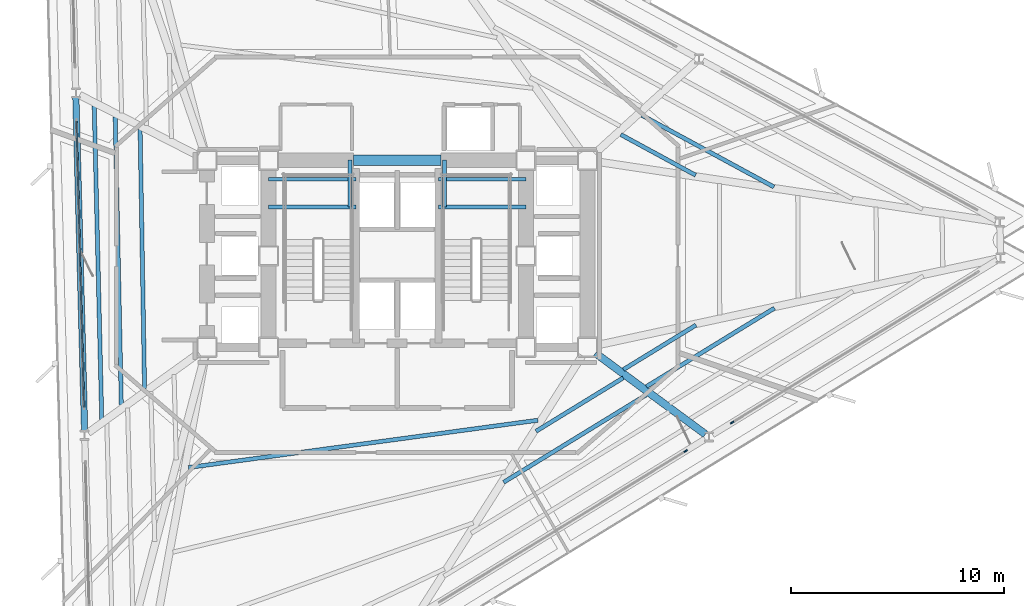
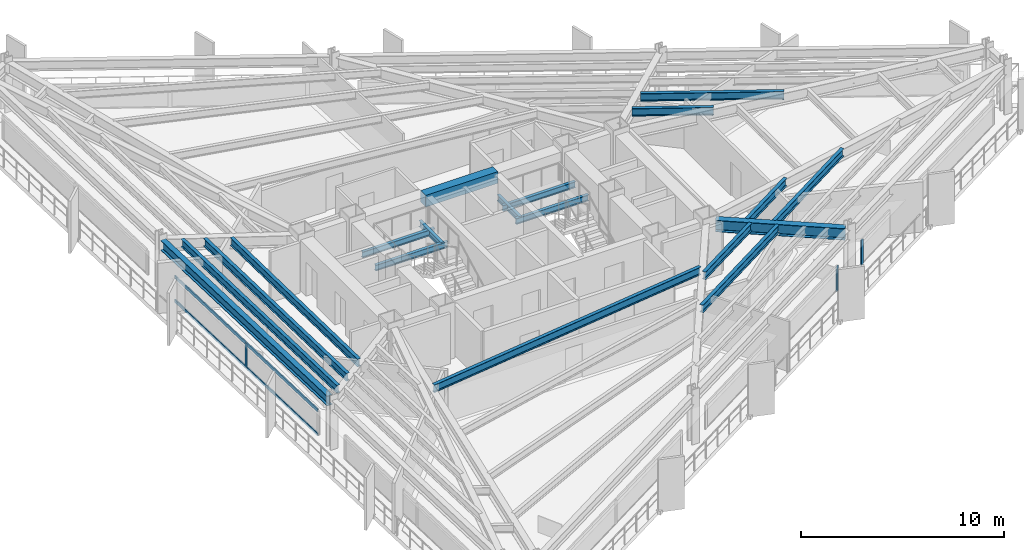
# One storey, part 3 of 14: 19 beams, 7 members, 3 elements without a shape of their own.
"""IFC4 building model written with IfcOpenShell, lengths in metres."""

from ifc_helpers import new_model, si_unit, direction, frame, origin, origin_2d, place, context, subcontext, project, spatial, rectangle, i_section, extrude, material, layer, layer_set, material_profile, profile_set, type_object, element, aggregate, save


model = new_model("IFC4")

# Units and contexts
model_context = context("Model", 3, precision=1e-05, world=origin(), true_north=direction((0.0, 1.0)))
body_context = subcontext(model_context, "Body", "Model", "MODEL_VIEW")
ifc_project = project(units=[si_unit("LENGTHUNIT", "METRE"), si_unit("AREAUNIT", "SQUARE_METRE"), si_unit("VOLUMEUNIT", "CUBIC_METRE"), si_unit("PLANEANGLEUNIT", "RADIAN"), si_unit("MASSUNIT", "GRAM", prefix="KILO")], contexts=[model_context])

# Site, building, storey
site_placement = place(None, origin())
site = spatial("IfcSite", under=ifc_project, at=site_placement, CompositionType="ELEMENT")
building_placement = place(site_placement, origin())
building = spatial("IfcBuilding", under=site, at=building_placement, Name="Rocaltana Carrier Exchange", CompositionType="ELEMENT")
storey_placement = place(building_placement, frame((0.0, 0.0, 42.39990234375)))
storey = spatial("IfcBuildingStorey", under=building, at=storey_placement, Name="L13", CompositionType="ELEMENT", Elevation=42.39990234375)

# Curtain wall, member
ifc_material_1 = material(Name="Aluminium 6063-T6", Category="aluminium")
ifc_layer = layer(ifc_material_1, 0.179931640625)
ifc_layer_set = layer_set([ifc_layer], Name="Aluminium 6063-T6")
curtain_wall_type = type_object("IfcCurtainWallType", Name="Sandstone Spandrel Unitised Curtain Wall CW-01", PredefinedType="NOTDEFINED", material=ifc_layer_set)
curtain_wall_1_placement = place(storey_placement, origin())
curtain_wall_1 = element("IfcCurtainWall", 1, at=curtain_wall_1_placement, inside=storey, type_object=curtain_wall_type, Name="L13 CW-01 Run CW-L13-F2S2", PredefinedType="NOTDEFINED")
ifc_material_2 = material(Name="Aluminium 6063-T6", Category="aluminium")
ifc_material_profile_1 = material_profile(ifc_material_2, rectangle(XDim=0.06494140625, YDim=0.179931640625, at=origin_2d()), Name="AL-65X180")
ifc_profile_set_1 = profile_set([ifc_material_profile_1], Name="Aluminium 6063-T6")
member_type_1 = type_object("IfcMemberType", Name="CW-01 Mullion AL-65X180", PredefinedType="MULLION", material=ifc_profile_set_1)
member_1_placement = place(storey_placement, frame((-14.91064453125, -0.390380859375, 0.0), z_axis=(0.0, 0.0, 1.0), x_axis=(0.99965733548, 0.026176547142, 0.0)))
member_1 = element("IfcMember", 2, at=member_1_placement, type_object=member_type_1, Name="CW-01 mullion 2", PredefinedType="MULLION", context=body_context, shape_type="SweptSolid", body=[
    extrude(rectangle(XDim=0.06494140625, YDim=0.179931640625, at=origin_2d()), origin(), (0.0, 0.0, 1.0), 1.498046875),
])

curtain_wall_2_placement = place(storey_placement, origin())
curtain_wall_2 = element("IfcCurtainWall", 3, at=curtain_wall_2_placement, inside=storey, type_object=curtain_wall_type, Name="L13 CW-01 Run CW-L13-F3S2", PredefinedType="NOTDEFINED")
member_2_placement = place(storey_placement, frame((13.563720703125, -9.181884765625, 0.0), z_axis=(0.0, 0.0, 1.0), x_axis=(-0.522499812415, 0.852639399762, 0.0)))
member_2 = element("IfcMember", 4, at=member_2_placement, type_object=member_type_1, Name="CW-01 mullion 3", PredefinedType="MULLION", context=body_context, shape_type="SweptSolid", body=[
    extrude(rectangle(XDim=0.06494140625, YDim=0.179931640625, at=origin_2d()), origin(), (0.0, 0.0, 1.0), 1.498046875),
])
aggregate(curtain_wall_2, [member_2])

curtain_wall_3_placement = place(storey_placement, origin())
curtain_wall_3 = element("IfcCurtainWall", 5, at=curtain_wall_3_placement, inside=storey, type_object=curtain_wall_type, Name="L13 CW-01 Run CW-L13-F3S3", PredefinedType="NOTDEFINED")
member_3_placement = place(storey_placement, frame((15.750732421875, -7.841552734375, 0.0), z_axis=(0.0, 0.0, 1.0), x_axis=(-0.522499812415, 0.852639399762, 0.0)))
member_3 = element("IfcMember", 6, at=member_3_placement, type_object=member_type_1, Name="CW-01 mullion 1", PredefinedType="MULLION", context=body_context, shape_type="SweptSolid", body=[
    extrude(rectangle(XDim=0.06494140625, YDim=0.179931640625, at=origin_2d()), origin(), (0.0, 0.0, 1.0), 1.498046875),
])
aggregate(curtain_wall_3, [member_3])

# Member
ifc_material_3 = material(Name="Aluminium 6063-T6", Category="aluminium")
ifc_material_profile_2 = material_profile(ifc_material_3, rectangle(XDim=0.06494140625, YDim=0.179931640625, at=origin_2d()), Name="AL-65X180")
ifc_profile_set_2 = profile_set([ifc_material_profile_2], Name="Aluminium 6063-T6")
member_type_2 = type_object("IfcMemberType", Name="CW-01 Transom AL-65X180", PredefinedType="USERDEFINED", material=ifc_profile_set_2)
member_4_placement = place(storey_placement, frame((-15.0869140625, 6.34228515625, 0.03271484375), z_axis=(0.026153417925, -0.999657940863, 0.0), x_axis=(0.999657940863, 0.026153417925, 0.0)))
member_4 = element("IfcMember", 7, at=member_4_placement, type_object=member_type_2, Name="CW-01 transom 1.1", ObjectType="TRANSOM", PredefinedType="USERDEFINED", context=body_context, shape_type="SweptSolid", body=[
    extrude(rectangle(XDim=0.06494140625, YDim=0.179931640625, at=origin_2d()), origin(), (0.0, 0.0, 1.0), 6.702392578125),
])

member_5_placement = place(storey_placement, frame((-15.0869140625, 6.34228515625, 1.465576171875), z_axis=(0.026153417925, -0.999657940863, 0.0), x_axis=(0.999657940863, 0.026153417925, 0.0)))
member_5 = element("IfcMember", 8, at=member_5_placement, type_object=member_type_2, Name="CW-01 transom 1.2", ObjectType="TRANSOM", PredefinedType="USERDEFINED", context=body_context, shape_type="SweptSolid", body=[
    extrude(rectangle(XDim=0.06494140625, YDim=0.179931640625, at=origin_2d()), origin(), (0.0, 0.0, 1.0), 6.702392578125),
])

member_6_placement = place(storey_placement, frame((-14.909912109375, -0.4228515625, 0.03271484375), z_axis=(0.026189818331, -0.999656987879, 0.0), x_axis=(0.999656987879, 0.026189818331, 0.0)))
member_6 = element("IfcMember", 9, at=member_6_placement, type_object=member_type_2, Name="CW-01 transom 2.1", ObjectType="TRANSOM", PredefinedType="USERDEFINED", context=body_context, shape_type="SweptSolid", body=[
    extrude(rectangle(XDim=0.06494140625, YDim=0.179931640625, at=origin_2d()), origin(), (0.0, 0.0, 1.0), 6.702392578125),
])

member_7_placement = place(storey_placement, frame((-14.909912109375, -0.4228515625, 1.465576171875), z_axis=(0.026189818331, -0.999656987879, 0.0), x_axis=(0.999656987879, 0.026189818331, 0.0)))
member_7 = element("IfcMember", 10, at=member_7_placement, type_object=member_type_2, Name="CW-01 transom 2.2", ObjectType="TRANSOM", PredefinedType="USERDEFINED", context=body_context, shape_type="SweptSolid", body=[
    extrude(rectangle(XDim=0.06494140625, YDim=0.179931640625, at=origin_2d()), origin(), (0.0, 0.0, 1.0), 6.702392578125),
])

aggregate(curtain_wall_1, [member_1, member_4, member_5, member_6, member_7])

# Beams
ifc_material_4 = material(Name="Concrete C60/75", Category="concrete")
ifc_material_profile_3 = material_profile(ifc_material_4, rectangle(XDim=0.5, YDim=0.699951171875, at=origin_2d()), Name="RC-BM-500X700")
ifc_profile_set_3 = profile_set([ifc_material_profile_3], Name="Concrete C60/75")
beam_type_1 = type_object("IfcBeamType", Name="Core Coupling Lintel 500x700", PredefinedType="LINTEL", material=ifc_profile_set_3)
beam_1_placement = place(storey_placement, frame((-2.050048828125, 4.5, 2.68798828125), z_axis=(1.0, 0.0, 0.0), x_axis=(0.0, 1.0, 0.0)))
element("IfcBeam", 11, at=beam_1_placement, inside=storey, type_object=beam_type_1, Name="L13 Core Coupling Lintel CL-N", PredefinedType="LINTEL", context=body_context, shape_type="SweptSolid", body=[
    extrude(rectangle(XDim=0.5, YDim=0.699951171875, at=origin_2d()), origin(), (0.0, 0.0, 1.0), 4.10009765625),
])
ifc_material_5 = material(Name="Steel S355", Category="steel")
ifc_material_profile_4 = material_profile(ifc_material_5, i_section(OverallWidth=0.172119140625, OverallDepth=0.35791015625, WebThickness=0.0078125, FlangeThickness=0.01318359375, FilletRadius=0.011962890625, at=origin_2d()), Name="W14X38")
ifc_profile_set_4 = profile_set([ifc_material_profile_4], Name="Steel S355")
beam_type_2 = type_object("IfcBeamType", Name="Floor Joist W14X38", PredefinedType="JOIST", material=ifc_profile_set_4)
for number, where, z_axis, x_axis, name in (
    (12, (-6.050048828125, 2.300048828125, 1.301025390625), (1.0, 0.0, 0.0), (0.0, 1.0, 0.0), "L13 ST-1 Landing Carrier 1"),
    (13, (1.93994140625, 2.300048828125, 1.301025390625), (1.0, 0.0, 0.0), (0.0, 1.0, 0.0), "L13 ST-2 Landing Carrier 1"),
    (14, (-6.050048828125, 3.60009765625, 1.301025390625), (1.0, 0.0, 0.0), (0.0, 1.0, 0.0), "L13 ST-1 Landing Carrier 2"),
    (15, (1.93994140625, 3.60009765625, 1.301025390625), (1.0, 0.0, 0.0), (0.0, 1.0, 0.0), "L13 ST-2 Landing Carrier 2"),
):
    element("IfcBeam", number, at=place(storey_placement, frame(where, z_axis=z_axis, x_axis=x_axis)), inside=storey, type_object=beam_type_2, Name=name, PredefinedType="JOIST", context=body_context, shape_type="SweptSolid", body=[
        extrude(i_section(OverallWidth=0.172119140625, OverallDepth=0.35791015625, WebThickness=0.0078125, FlangeThickness=0.01318359375, FilletRadius=0.011962890625, at=origin_2d()), origin(), (0.0, 0.0, 1.0), 4.110107421875),
    ])
for number, where, z_axis, x_axis, name in (
    (16, (-2.219970703125, 2.300048828125, 1.301025390625), (0.0, 1.0, 0.0), (-1.0, 0.0, 0.0), "L13 ST-1 Landing Cross Trimmer"),
    (17, (2.219970703125, 2.300048828125, 1.301025390625), (0.0, 1.0, 0.0), (-1.0, 0.0, 0.0), "L13 ST-2 Landing Cross Trimmer"),
):
    element("IfcBeam", number, at=place(storey_placement, frame(where, z_axis=z_axis, x_axis=x_axis)), inside=storey, type_object=beam_type_2, Name=name, PredefinedType="JOIST", context=body_context, shape_type="SweptSolid", body=[
        extrude(i_section(OverallWidth=0.172119140625, OverallDepth=0.35791015625, WebThickness=0.0078125, FlangeThickness=0.01318359375, FilletRadius=0.011962890625, at=origin_2d()), origin(), (0.0, 0.0, 1.0), 2.199951171875),
    ])
ifc_material_6 = material(Name="Steel S355", Category="steel")
ifc_material_profile_5 = material_profile(ifc_material_6, i_section(OverallWidth=0.193115234375, OverallDepth=0.466064453125, WebThickness=0.011474609375, FlangeThickness=0.01904296875, FilletRadius=0.013916015625, at=origin_2d()), Name="W18X65")
ifc_profile_set_5 = profile_set([ifc_material_profile_5], Name="Steel S355")
beam_type_3 = type_object("IfcBeamType", Name="Floor Joist W18X65", PredefinedType="JOIST", material=ifc_profile_set_5)
beam_2_placement = place(storey_placement, frame((14.03466796875, 3.794921875, 2.80517578125), z_axis=(-0.878819095461, 0.477155108381, 0.0), x_axis=(-0.477155108381, -0.878819095461, 0.0)))
element("IfcBeam", 18, at=beam_2_placement, inside=storey, type_object=beam_type_3, Name="FJ-L13-01-1", PredefinedType="JOIST", context=body_context, shape_type="SweptSolid", body=[
    extrude(i_section(OverallWidth=0.193115234375, OverallDepth=0.466064453125, WebThickness=0.011474609375, FlangeThickness=0.01904296875, FilletRadius=0.013916015625, at=origin_2d()), origin(), (0.0, 0.0, 1.0), 4.003662109375),
])
beam_3_placement = place(storey_placement, frame((17.718994140625, 3.240966796875, 2.80517578125), z_axis=(-0.878818644884, 0.477155938247, 0.0), x_axis=(-0.477155938247, -0.878818644884, 0.0)))
element("IfcBeam", 19, at=beam_3_placement, inside=storey, type_object=beam_type_3, Name="FJ-L13-01-2", PredefinedType="JOIST", context=body_context, shape_type="SweptSolid", body=[
    extrude(i_section(OverallWidth=0.193115234375, OverallDepth=0.466064453125, WebThickness=0.011474609375, FlangeThickness=0.01904296875, FilletRadius=0.013916015625, at=origin_2d()), origin(), (0.0, 0.0, 1.0), 7.06298828125),
])
beam_4_placement = place(storey_placement, frame((-12.094482421875, 5.9384765625, 2.80517578125), z_axis=(0.01715934819, -0.999852767546, 0.0), x_axis=(0.999852767546, 0.01715934819, 0.0)))
element("IfcBeam", 20, at=beam_4_placement, inside=storey, type_object=beam_type_3, Name="FJ-L13-06-2", PredefinedType="JOIST", context=body_context, shape_type="SweptSolid", body=[
    extrude(i_section(OverallWidth=0.193115234375, OverallDepth=0.466064453125, WebThickness=0.011474609375, FlangeThickness=0.01904296875, FilletRadius=0.013916015625, at=origin_2d()), origin(), (0.0, 0.0, 1.0), 12.178955078125),
])
beam_5_placement = place(storey_placement, frame((-13.266357421875, 6.538330078125, 2.80517578125), z_axis=(0.021217434782, -0.999774884892, 0.0), x_axis=(0.999774884892, 0.021217434782, 0.0)))
element("IfcBeam", 21, at=beam_5_placement, inside=storey, type_object=beam_type_3, Name="FJ-L13-06-3", PredefinedType="JOIST", context=body_context, shape_type="SweptSolid", body=[
    extrude(i_section(OverallWidth=0.193115234375, OverallDepth=0.466064453125, WebThickness=0.011474609375, FlangeThickness=0.01904296875, FilletRadius=0.013916015625, at=origin_2d()), origin(), (0.0, 0.0, 1.0), 13.56640625),
])
beam_6_placement = place(storey_placement, frame((-14.25341796875, 7.04345703125, 2.80517578125), z_axis=(0.024041709719, -0.999710956324, 0.0), x_axis=(0.999710956324, 0.024041709719, 0.0)))
element("IfcBeam", 22, at=beam_6_placement, inside=storey, type_object=beam_type_3, Name="FJ-L13-06-4", PredefinedType="JOIST", context=body_context, shape_type="SweptSolid", body=[
    extrude(i_section(OverallWidth=0.193115234375, OverallDepth=0.466064453125, WebThickness=0.011474609375, FlangeThickness=0.01904296875, FilletRadius=0.013916015625, at=origin_2d()), origin(), (0.0, 0.0, 1.0), 14.734619140625),
])
beam_7_placement = place(storey_placement, frame((-9.819091796875, -9.956787109375, 2.80517578125), z_axis=(0.990955694238, 0.13418946329, 0.0), x_axis=(-0.13418946329, 0.990955694238, 0.0)))
element("IfcBeam", 23, at=beam_7_placement, inside=storey, type_object=beam_type_3, Name="FJ-L13-09-1", PredefinedType="JOIST", context=body_context, shape_type="SweptSolid", body=[
    extrude(i_section(OverallWidth=0.193115234375, OverallDepth=0.466064453125, WebThickness=0.011474609375, FlangeThickness=0.01904296875, FilletRadius=0.013916015625, at=origin_2d()), origin(), (0.0, 0.0, 1.0), 16.58349609375),
])
beam_8_placement = place(storey_placement, frame((6.52978515625, -8.25, 2.80517578125), z_axis=(0.852639920922, 0.522498961961, 0.0), x_axis=(-0.522498961961, 0.852639920922, 0.0)))
element("IfcBeam", 24, at=beam_8_placement, inside=storey, type_object=beam_type_3, Name="FJ-L13-10-1", PredefinedType="JOIST", context=body_context, shape_type="SweptSolid", body=[
    extrude(i_section(OverallWidth=0.193115234375, OverallDepth=0.466064453125, WebThickness=0.011474609375, FlangeThickness=0.01904296875, FilletRadius=0.013916015625, at=origin_2d()), origin(), (0.0, 0.0, 1.0), 4.80908203125),
])
beam_9_placement = place(storey_placement, frame((5.005859375, -10.648681640625, 2.80517578125), z_axis=(0.852633806111, 0.522508940283, 0.0), x_axis=(-0.522508940283, 0.852633806111, 0.0)))
element("IfcBeam", 25, at=beam_9_placement, inside=storey, type_object=beam_type_3, Name="FJ-L13-10-2", PredefinedType="JOIST", context=body_context, shape_type="SweptSolid", body=[
    extrude(i_section(OverallWidth=0.193115234375, OverallDepth=0.466064453125, WebThickness=0.011474609375, FlangeThickness=0.01904296875, FilletRadius=0.013916015625, at=origin_2d()), origin(), (0.0, 0.0, 1.0), 7.867919921875),
])
beam_10_placement = place(storey_placement, frame((10.63720703125, -5.34765625, 2.80517578125), z_axis=(0.852634552526, 0.522507722277, 0.0), x_axis=(-0.522507722277, 0.852634552526, 0.0)))
element("IfcBeam", 26, at=beam_10_placement, inside=storey, type_object=beam_type_3, Name="FJ-L13-11-1", PredefinedType="JOIST", context=body_context, shape_type="SweptSolid", body=[
    extrude(i_section(OverallWidth=0.193115234375, OverallDepth=0.466064453125, WebThickness=0.011474609375, FlangeThickness=0.01904296875, FilletRadius=0.013916015625, at=origin_2d()), origin(), (0.0, 0.0, 1.0), 4.00390625),
])
beam_11_placement = place(storey_placement, frame((11.721435546875, -6.147705078125, 2.80517578125), z_axis=(0.85265490201, 0.522474514286, 0.0), x_axis=(-0.522474514286, 0.85265490201, 0.0)))
element("IfcBeam", 27, at=beam_11_placement, inside=storey, type_object=beam_type_3, Name="FJ-L13-11-2", PredefinedType="JOIST", context=body_context, shape_type="SweptSolid", body=[
    extrude(i_section(OverallWidth=0.193115234375, OverallDepth=0.466064453125, WebThickness=0.011474609375, FlangeThickness=0.01904296875, FilletRadius=0.013916015625, at=origin_2d()), origin(), (0.0, 0.0, 1.0), 7.06298828125),
])
ifc_material_7 = material(Name="Steel S355", Category="steel")
ifc_material_profile_6 = material_profile(ifc_material_7, i_section(OverallWidth=0.35498046875, OverallDepth=0.695068359375, WebThickness=0.015380859375, FlangeThickness=0.02490234375, FilletRadius=0.01806640625, at=origin_2d()), Name="W27X146")
ifc_profile_set_6 = profile_set([ifc_material_profile_6], Name="Steel S355")
beam_type_4 = type_object("IfcBeamType", Name="Radial Girder W27X146", PredefinedType="BEAM", material=ifc_profile_set_6)
beam_12_placement = place(storey_placement, frame((9.32568359375, -4.577392578125, 2.690673828125), z_axis=(0.804638080619, -0.59376557598, 0.0), x_axis=(0.59376557598, 0.804638080619, 0.0)))
element("IfcBeam", 28, at=beam_12_placement, inside=storey, type_object=beam_type_4, Name="RG-L13-11", PredefinedType="BEAM", context=body_context, shape_type="SweptSolid", body=[
    extrude(i_section(OverallWidth=0.35498046875, OverallDepth=0.695068359375, WebThickness=0.015380859375, FlangeThickness=0.02490234375, FilletRadius=0.01806640625, at=origin_2d()), origin(), (0.0, 0.0, 1.0), 6.422119140625),
])
ifc_material_8 = material(Name="Steel S355", Category="steel")
ifc_material_profile_7 = material_profile(ifc_material_8, i_section(OverallWidth=0.300048828125, OverallDepth=0.60009765625, WebThickness=0.015380859375, FlangeThickness=0.030029296875, FilletRadius=0.027099609375, at=origin_2d()), Name="HEB600")
ifc_profile_set_7 = profile_set([ifc_material_profile_7], Name="Steel S355")
beam_type_5 = type_object("IfcBeamType", Name="Spandrel Edge Beam HEB600", PredefinedType="SPANDREL", material=ifc_profile_set_7)
beam_13_placement = place(storey_placement, frame((-15.1162109375, 7.452880859375, 2.738037109375), z_axis=(0.026184348618, -0.999657131164, 0.0), x_axis=(0.999657131164, 0.026184348618, 0.0)))
element("IfcBeam", 29, at=beam_13_placement, inside=storey, type_object=beam_type_5, Name="SP-L13-06", PredefinedType="SPANDREL", context=body_context, shape_type="SweptSolid", body=[
    extrude(i_section(OverallWidth=0.300048828125, OverallDepth=0.60009765625, WebThickness=0.015380859375, FlangeThickness=0.030029296875, FilletRadius=0.027099609375, at=origin_2d()), origin(), (0.0, 0.0, 1.0), 15.692138671875),
])

save(model, "model.ifc")
